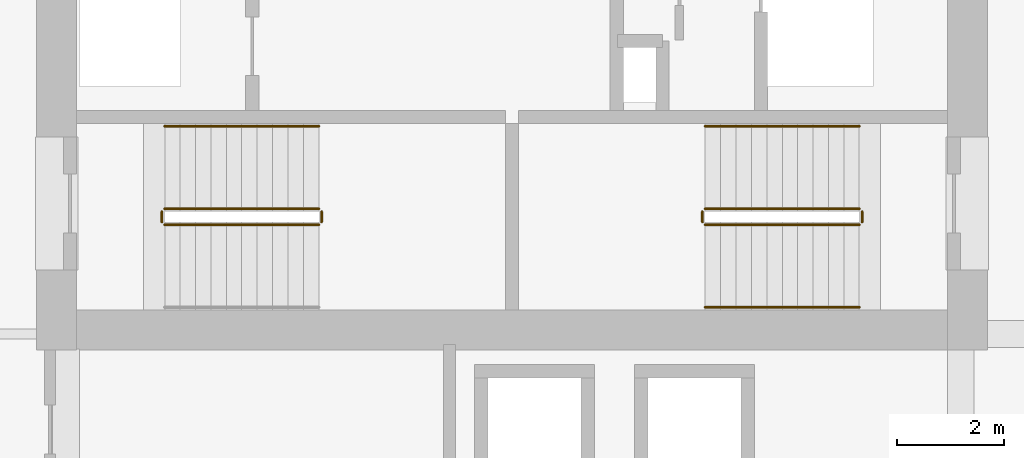
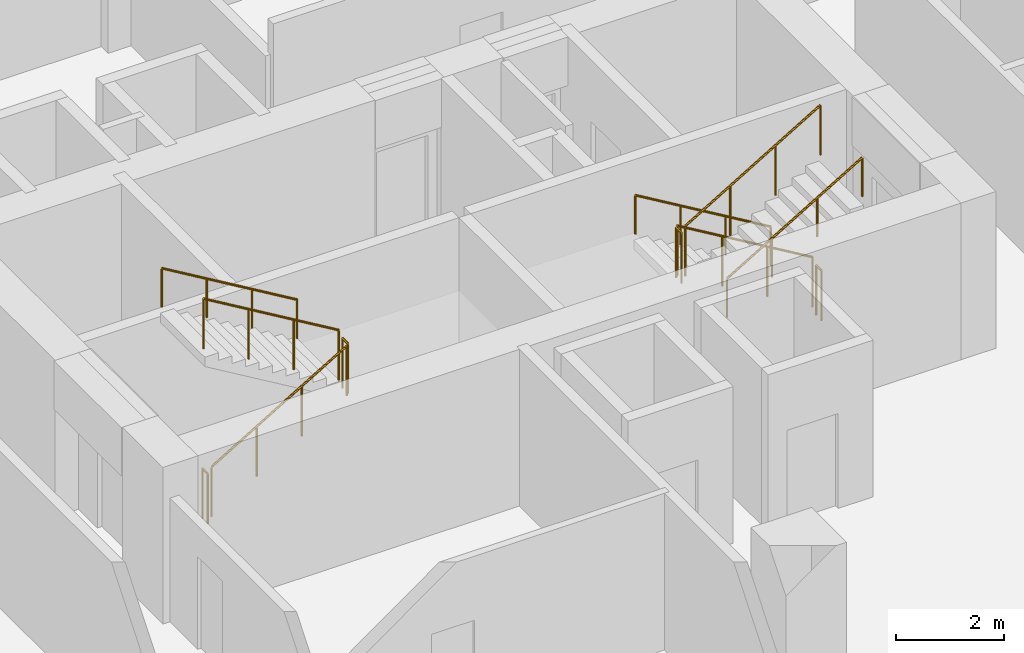
# One storey, part 22 of 24: 11 railings.
"""IFC4 building model written with IfcOpenShell, lengths in metres."""

from ifc_helpers import new_model, si_unit, direction, frame, origin, origin_2d, place, context, subcontext, project, spatial, circle, extrude, material, type_object, element, save


model = new_model("IFC4")

# Units and contexts
model_context = context("Model", 3, precision=1e-05, world=origin(), true_north=direction((0.0, 1.0)))
body_context = subcontext(model_context, "Body", "Model", "MODEL_VIEW")
ifc_project = project(units=[si_unit("LENGTHUNIT", "METRE"), si_unit("AREAUNIT", "SQUARE_METRE"), si_unit("VOLUMEUNIT", "CUBIC_METRE"), si_unit("PLANEANGLEUNIT", "RADIAN"), si_unit("MASSUNIT", "GRAM", prefix="KILO")], contexts=[model_context])

# Site, building, storey
site_placement = place(None, origin())
site = spatial("IfcSite", under=ifc_project, at=site_placement, CompositionType="ELEMENT")
building_placement = place(site_placement, origin())
building = spatial("IfcBuilding", under=site, at=building_placement, Name="Koriwani Terraces Tower", CompositionType="ELEMENT")
storey_placement = place(building_placement, frame((0.0, 0.0, 103.800048828125)))
storey = spatial("IfcBuildingStorey", under=building, at=storey_placement, Name="L24", CompositionType="ELEMENT", Elevation=103.800048828125)

# Railings
ifc_material = material(Name="Steel ASTM A572 Grade 50", Category="steel")
railing_type_1 = type_object("IfcRailingType", Name="GUARD_STAIR_WELL_1120", PredefinedType="GUARDRAIL", material=ifc_material)
railing_1_placement = place(storey_placement, frame((43.85009765625, 18.85009765625, 0.172607421875)))
element("IfcRailing", 1, at=railing_1_placement, inside=storey, type_object=railing_type_1, Name="L24 ST-E1 stair guard 1", PredefinedType="GUARDRAIL", context=body_context, shape_type="SweptSolid", body=[
    extrude(circle(Radius=0.02392578125, at=origin_2d()), frame((0.0, 0.0, 1.1259765625), z_axis=(0.859141464434, 0.0, 0.511738159696), x_axis=(0.0, 1.0, 0.0)), (0.0, 0.0, 1.0), 3.375244140625),
    extrude(circle(Radius=0.02099609375, at=origin_2d()), origin(), (0.0, 0.0, 1.0), 1.101806640625),
    extrude(circle(Radius=0.02099609375, at=origin_2d()), frame((0.966552734375, 0.0, 0.57568359375)), (0.0, 0.0, 1.0), 1.101806640625),
    extrude(circle(Radius=0.02099609375, at=origin_2d()), frame((1.933349609375, 0.0, 1.151611328125)), (0.0, 0.0, 1.0), 1.101806640625),
    extrude(circle(Radius=0.02099609375, at=origin_2d()), frame((2.89990234375, 0.0, 1.727294921875)), (0.0, 0.0, 1.0), 1.101806640625),
])
railing_2_placement = place(storey_placement, frame((46.800048828125, 18.89990234375, 1.89990234375)))
element("IfcRailing", 2, at=railing_2_placement, inside=storey, type_object=railing_type_1, Name="L24 ST-E1 stair guard 2", PredefinedType="GUARDRAIL", context=body_context, shape_type="SweptSolid", body=[
    extrude(circle(Radius=0.02392578125, at=origin_2d()), frame((0.0, 0.0, 1.1259765625), z_axis=(0.0, 1.0, 0.0), x_axis=(-1.0, 0.0, 0.0)), (0.0, 0.0, 1.0), 0.2001953125),
    extrude(circle(Radius=0.02099609375, at=origin_2d()), origin(), (0.0, 0.0, 1.0), 1.101806640625),
    extrude(circle(Radius=0.02099609375, at=origin_2d()), frame((0.0, 0.2001953125, 0.0)), (0.0, 0.0, 1.0), 1.101806640625),
])
railing_3_placement = place(storey_placement, frame((46.75, 19.14990234375, 2.07275390625)))
element("IfcRailing", 3, at=railing_3_placement, inside=storey, type_object=railing_type_1, Name="L24 ST-E1 stair guard 3", PredefinedType="GUARDRAIL", context=body_context, shape_type="SweptSolid", body=[
    extrude(circle(Radius=0.02392578125, at=origin_2d()), frame((0.0, 0.0, 1.1259765625), z_axis=(-0.859141464434, 0.0, 0.511738159696), x_axis=(0.0, -1.0, 0.0)), (0.0, 0.0, 1.0), 3.375244140625),
    extrude(circle(Radius=0.02099609375, at=origin_2d()), origin(), (0.0, 0.0, 1.0), 1.101806640625),
    extrude(circle(Radius=0.02099609375, at=origin_2d()), frame((-0.966552734375, 0.0, 0.57568359375)), (0.0, 0.0, 1.0), 1.101806640625),
    extrude(circle(Radius=0.02099609375, at=origin_2d()), frame((-1.933349609375, 0.0, 1.151611328125)), (0.0, 0.0, 1.0), 1.101806640625),
    extrude(circle(Radius=0.02099609375, at=origin_2d()), frame((-2.89990234375, 0.0, 1.727294921875)), (0.0, 0.0, 1.0), 1.101806640625),
])
railing_4_placement = place(storey_placement, frame((43.800048828125, 18.89990234375, 0.0)))
element("IfcRailing", 4, at=railing_4_placement, inside=storey, type_object=railing_type_1, Name="L24 ST-E1 stair guard 4", PredefinedType="GUARDRAIL", context=body_context, shape_type="SweptSolid", body=[
    extrude(circle(Radius=0.02392578125, at=origin_2d()), frame((0.0, 0.0, 1.1259765625), z_axis=(0.0, 1.0, 0.0), x_axis=(-1.0, 0.0, 0.0)), (0.0, 0.0, 1.0), 0.2001953125),
    extrude(circle(Radius=0.02099609375, at=origin_2d()), origin(), (0.0, 0.0, 1.0), 1.101806640625),
    extrude(circle(Radius=0.02099609375, at=origin_2d()), frame((0.0, 0.2001953125, 0.0)), (0.0, 0.0, 1.0), 1.101806640625),
])
railing_5_placement = place(storey_placement, frame((56.89990234375, 19.14990234375, 0.172607421875)))
element("IfcRailing", 5, at=railing_5_placement, inside=storey, type_object=railing_type_1, Name="L24 ST-E2 stair guard 1", PredefinedType="GUARDRAIL", context=body_context, shape_type="SweptSolid", body=[
    extrude(circle(Radius=0.02392578125, at=origin_2d()), frame((0.0, 0.0, 1.1259765625), z_axis=(-0.859141464434, 0.0, 0.511738159696), x_axis=(0.0, -1.0, 0.0)), (0.0, 0.0, 1.0), 3.375244140625),
    extrude(circle(Radius=0.02099609375, at=origin_2d()), origin(), (0.0, 0.0, 1.0), 1.101806640625),
    extrude(circle(Radius=0.02099609375, at=origin_2d()), frame((-0.966552734375, 0.0, 0.57568359375)), (0.0, 0.0, 1.0), 1.101806640625),
    extrude(circle(Radius=0.02099609375, at=origin_2d()), frame((-1.933349609375, 0.0, 1.151611328125)), (0.0, 0.0, 1.0), 1.101806640625),
    extrude(circle(Radius=0.02099609375, at=origin_2d()), frame((-2.89990234375, 0.0, 1.727294921875)), (0.0, 0.0, 1.0), 1.101806640625),
])
railing_6_placement = place(storey_placement, frame((53.949951171875, 19.10009765625, 1.89990234375)))
element("IfcRailing", 6, at=railing_6_placement, inside=storey, type_object=railing_type_1, Name="L24 ST-E2 stair guard 2", PredefinedType="GUARDRAIL", context=body_context, shape_type="SweptSolid", body=[
    extrude(circle(Radius=0.02392578125, at=origin_2d()), frame((0.0, 0.0, 1.1259765625), z_axis=(0.0, -1.0, 0.0), x_axis=(1.0, 0.0, 0.0)), (0.0, 0.0, 1.0), 0.2001953125),
    extrude(circle(Radius=0.02099609375, at=origin_2d()), origin(), (0.0, 0.0, 1.0), 1.101806640625),
    extrude(circle(Radius=0.02099609375, at=origin_2d()), frame((0.0, -0.2001953125, 0.0)), (0.0, 0.0, 1.0), 1.101806640625),
])
railing_7_placement = place(storey_placement, frame((54.0, 18.85009765625, 2.07275390625)))
element("IfcRailing", 7, at=railing_7_placement, inside=storey, type_object=railing_type_1, Name="L24 ST-E2 stair guard 3", PredefinedType="GUARDRAIL", context=body_context, shape_type="SweptSolid", body=[
    extrude(circle(Radius=0.02392578125, at=origin_2d()), frame((0.0, 0.0, 1.1259765625), z_axis=(0.859141464434, 0.0, 0.511738159696), x_axis=(0.0, 1.0, 0.0)), (0.0, 0.0, 1.0), 3.375244140625),
    extrude(circle(Radius=0.02099609375, at=origin_2d()), origin(), (0.0, 0.0, 1.0), 1.101806640625),
    extrude(circle(Radius=0.02099609375, at=origin_2d()), frame((0.966552734375, 0.0, 0.57568359375)), (0.0, 0.0, 1.0), 1.101806640625),
    extrude(circle(Radius=0.02099609375, at=origin_2d()), frame((1.933349609375, 0.0, 1.151611328125)), (0.0, 0.0, 1.0), 1.101806640625),
    extrude(circle(Radius=0.02099609375, at=origin_2d()), frame((2.89990234375, 0.0, 1.727294921875)), (0.0, 0.0, 1.0), 1.101806640625),
])
railing_8_placement = place(storey_placement, frame((56.949951171875, 19.10009765625, 0.0)))
element("IfcRailing", 8, at=railing_8_placement, inside=storey, type_object=railing_type_1, Name="L24 ST-E2 stair guard 4", PredefinedType="GUARDRAIL", context=body_context, shape_type="SweptSolid", body=[
    extrude(circle(Radius=0.02392578125, at=origin_2d()), frame((0.0, 0.0, 1.1259765625), z_axis=(0.0, -1.0, 0.0), x_axis=(1.0, 0.0, 0.0)), (0.0, 0.0, 1.0), 0.2001953125),
    extrude(circle(Radius=0.02099609375, at=origin_2d()), origin(), (0.0, 0.0, 1.0), 1.101806640625),
    extrude(circle(Radius=0.02099609375, at=origin_2d()), frame((0.0, -0.2001953125, 0.0)), (0.0, 0.0, 1.0), 1.101806640625),
])
railing_type_2 = type_object("IfcRailingType", Name="HANDRAIL_STAIR_920", PredefinedType="HANDRAIL", material=ifc_material)
for number, where, name in (
    (9, (46.75, 20.699951171875, 2.07275390625), "L24 ST-E1 stair handrail 2"),
    (10, (56.89990234375, 20.699951171875, 0.172607421875), "L24 ST-E2 stair handrail 1"),
):
    element("IfcRailing", number, at=place(storey_placement, frame(where)), inside=storey, type_object=railing_type_2, Name=name, PredefinedType="HANDRAIL", context=body_context, shape_type="SweptSolid", body=[
        extrude(circle(Radius=0.02392578125, at=origin_2d()), frame((0.0, 0.0, 0.8759765625), z_axis=(-0.859141464434, 0.0, 0.511738159696), x_axis=(0.0, -1.0, 0.0)), (0.0, 0.0, 1.0), 3.375244140625),
        extrude(circle(Radius=0.02099609375, at=origin_2d()), origin(), (0.0, 0.0, 1.0), 0.851806640625),
        extrude(circle(Radius=0.02099609375, at=origin_2d()), frame((-0.966552734375, 0.0, 0.57568359375)), (0.0, 0.0, 1.0), 0.851806640625),
        extrude(circle(Radius=0.02099609375, at=origin_2d()), frame((-1.933349609375, 0.0, 1.151611328125)), (0.0, 0.0, 1.0), 0.851806640625),
        extrude(circle(Radius=0.02099609375, at=origin_2d()), frame((-2.89990234375, 0.0, 1.727294921875)), (0.0, 0.0, 1.0), 0.851806640625),
    ])
railing_9_placement = place(storey_placement, frame((54.0, 17.300048828125, 2.07275390625)))
element("IfcRailing", 11, at=railing_9_placement, inside=storey, type_object=railing_type_2, Name="L24 ST-E2 stair handrail 2", PredefinedType="HANDRAIL", context=body_context, shape_type="SweptSolid", body=[
    extrude(circle(Radius=0.02392578125, at=origin_2d()), frame((0.0, 0.0, 0.8759765625), z_axis=(0.859141464434, 0.0, 0.511738159696), x_axis=(0.0, 1.0, 0.0)), (0.0, 0.0, 1.0), 3.375244140625),
    extrude(circle(Radius=0.02099609375, at=origin_2d()), origin(), (0.0, 0.0, 1.0), 0.851806640625),
    extrude(circle(Radius=0.02099609375, at=origin_2d()), frame((0.966552734375, 0.0, 0.57568359375)), (0.0, 0.0, 1.0), 0.851806640625),
    extrude(circle(Radius=0.02099609375, at=origin_2d()), frame((1.933349609375, 0.0, 1.151611328125)), (0.0, 0.0, 1.0), 0.851806640625),
    extrude(circle(Radius=0.02099609375, at=origin_2d()), frame((2.89990234375, 0.0, 1.727294921875)), (0.0, 0.0, 1.0), 0.851806640625),
])

save(model, "model.ifc")
